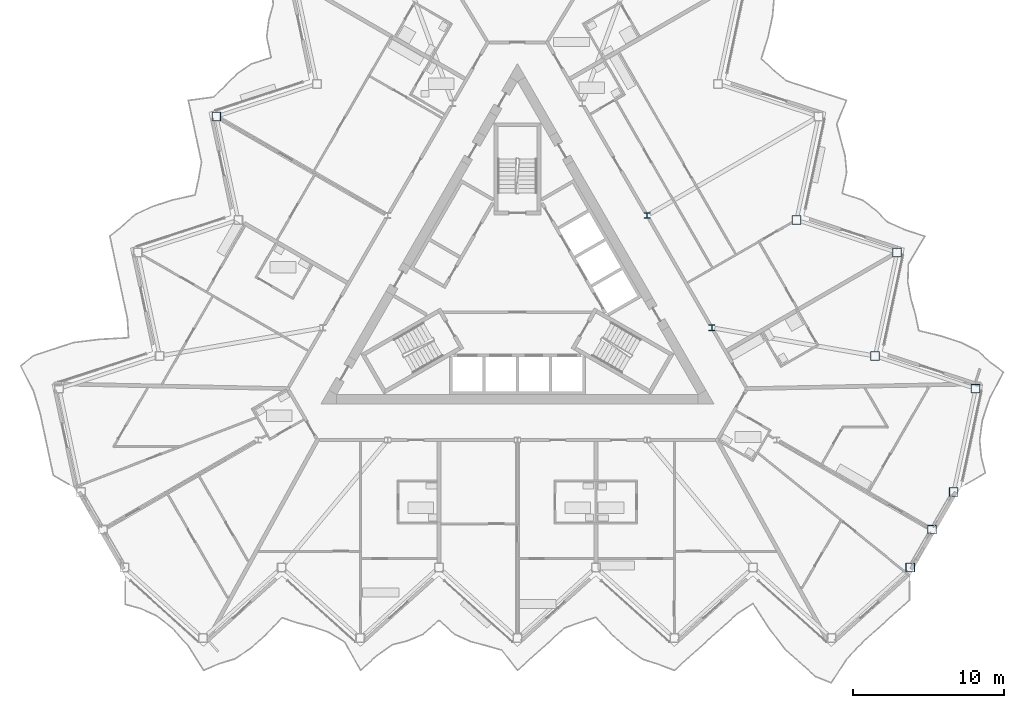
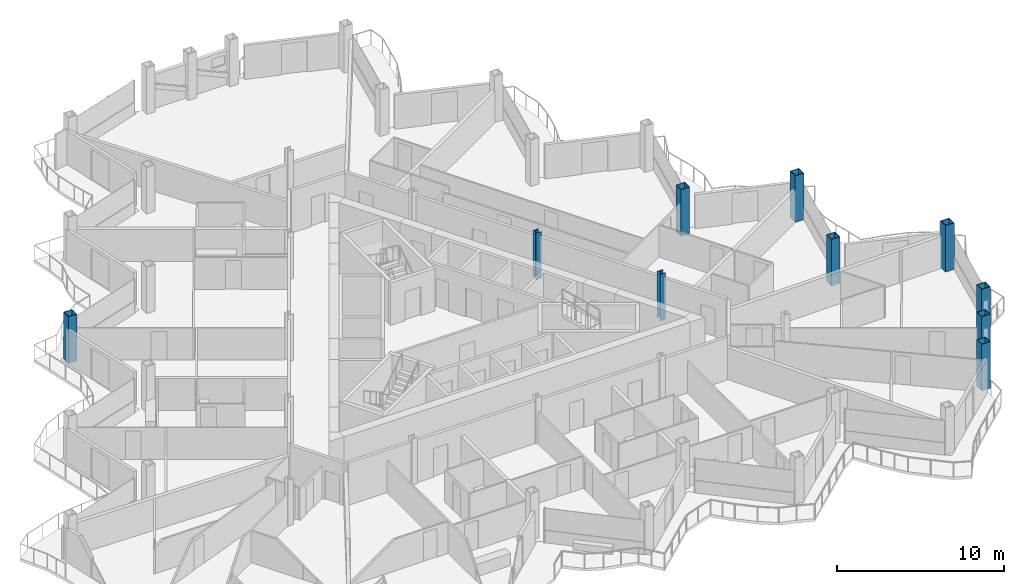
# One storey, part 2 of 27: 10 columns.
"""IFC4 building model written with IfcOpenShell, lengths in metres."""

from ifc_helpers import new_model, si_unit, direction, frame, origin, origin_2d, place, context, subcontext, project, spatial, hollow_rectangle, i_section, extrude, material, material_profile, profile_set, type_object, element, save


model = new_model("IFC4")

# Units and contexts
model_context = context("Model", 3, precision=1e-05, world=origin(), true_north=direction((0.0, 1.0)))
body_context = subcontext(model_context, "Body", "Model", "MODEL_VIEW")
ifc_project = project(units=[si_unit("LENGTHUNIT", "METRE"), si_unit("AREAUNIT", "SQUARE_METRE"), si_unit("VOLUMEUNIT", "CUBIC_METRE"), si_unit("PLANEANGLEUNIT", "RADIAN"), si_unit("MASSUNIT", "GRAM", prefix="KILO")], contexts=[model_context])

# Site, building, storey
site_placement = place(None, origin())
site = spatial("IfcSite", under=ifc_project, at=site_placement, CompositionType="ELEMENT")
building_placement = place(site_placement, origin())
building = spatial("IfcBuilding", under=site, at=building_placement, Name="Cormorant Prow Tower", CompositionType="ELEMENT")
storey_placement = place(building_placement, frame((0.0, 0.0, 315.39990234375)))
storey = spatial("IfcBuildingStorey", under=building, at=storey_placement, Name="L69", CompositionType="ELEMENT", Elevation=315.39990234375)

# Columns
ifc_material_1 = material(Name="Structural steel ASTM A572 Gr 50", Category="steel")
ifc_material_profile_1 = material_profile(ifc_material_1, hollow_rectangle(XDim=0.60009765625, YDim=0.60009765625, WallThickness=0.0400390625, at=origin_2d()), Name="Box 600x600x40")
ifc_profile_set_1 = profile_set([ifc_material_profile_1], Name="Structural steel ASTM A572 Gr 50")
column_type_1 = type_object("IfcColumnType", Name="Perimeter box column 600x600x40", PredefinedType="COLUMN", material=ifc_profile_set_1)
for number, where, z_axis, x_axis, name in (
    (1, (25.995361328125, -18.326904296875, 0.0), (0.0, 0.0, 1.0), (1.0, 0.0, 0.0), "Perimeter column C6 at ESE00 L69"),
    (2, (27.432373046875, -15.838134765625, 0.0), (0.0, 0.0, 1.0), (1.0, 0.0, 0.0), "Perimeter column C6 at ESE01 L69"),
    (3, (28.869140625, -13.349365234375, 0.0), (0.0, 0.0, 1.0), (1.0, 0.0, 0.0), "Perimeter column C6 at ENE00 L69"),
    (4, (30.32373046875, -6.506103515625, 0.0), (0.0, 0.0, 1.0), (1.0, 0.0, 0.0), "Perimeter column C6 at ENE01 L69"),
    (5, (23.670166015625, -4.34423828125, 0.0), (0.0, 0.0, 1.0), (1.0, 0.0, 0.0), "Perimeter column C6 at ENE02 L69"),
    (6, (25.124755859375, 2.4990234375, 0.0), (0.0, 0.0, 1.0), (1.0, 0.0, 0.0), "Perimeter column C6 at ENE03 L69"),
    (7, (18.470947265625, 4.660888671875, 0.0), (0.0, 0.0, 1.0), (1.0, 0.0, 0.0), "Perimeter column C6 at ENE04 L69"),
    (8, (-19.925537109375, 11.504150390625, 0.0), (0.0, 0.0, 1.0), (1.0, 0.0, 0.0), "Perimeter column C6 at WNW05 L69"),
):
    element("IfcColumn", number, at=place(storey_placement, frame(where, z_axis=z_axis, x_axis=x_axis)), inside=storey, type_object=column_type_1, Name=name, PredefinedType="COLUMN", context=body_context, shape_type="SweptSolid", body=[
        extrude(hollow_rectangle(XDim=0.60009765625, YDim=0.60009765625, WallThickness=0.0400390625, at=origin_2d()), origin(), (0.0, 0.0, 1.0), 3.400146484375),
    ])
ifc_material_2 = material(Name="Structural steel ASTM A992 Gr 50", Category="steel")
ifc_material_profile_2 = material_profile(ifc_material_2, i_section(OverallWidth=0.3955078125, OverallDepth=0.380615234375, WebThickness=0.018798828125, FlangeThickness=0.0302734375, at=origin_2d()), Name="W14x159")
ifc_profile_set_2 = profile_set([ifc_material_profile_2], Name="Structural steel ASTM A992 Gr 50")
column_type_2 = type_object("IfcColumnType", Name="Ring column W14x159", PredefinedType="COLUMN", material=ifc_profile_set_2)
for number, where, z_axis, x_axis, name in (
    (9, (12.86767578125, -2.476318359375, 0.0), (0.0, 0.0, 1.0), (1.0, 0.0, 0.0), "Ring column 10 L69"),
    (10, (8.578369140625, 4.952880859375, 0.0), (0.0, 0.0, 1.0), (1.0, 0.0, 0.0), "Ring column 11 L69"),
):
    element("IfcColumn", number, at=place(storey_placement, frame(where, z_axis=z_axis, x_axis=x_axis)), inside=storey, type_object=column_type_2, Name=name, PredefinedType="COLUMN", context=body_context, shape_type="SweptSolid", body=[
        extrude(i_section(OverallWidth=0.3955078125, OverallDepth=0.380615234375, WebThickness=0.018798828125, FlangeThickness=0.0302734375, at=origin_2d()), origin(), (0.0, 0.0, 1.0), 3.400146484375),
    ])

save(model, "model.ifc")
